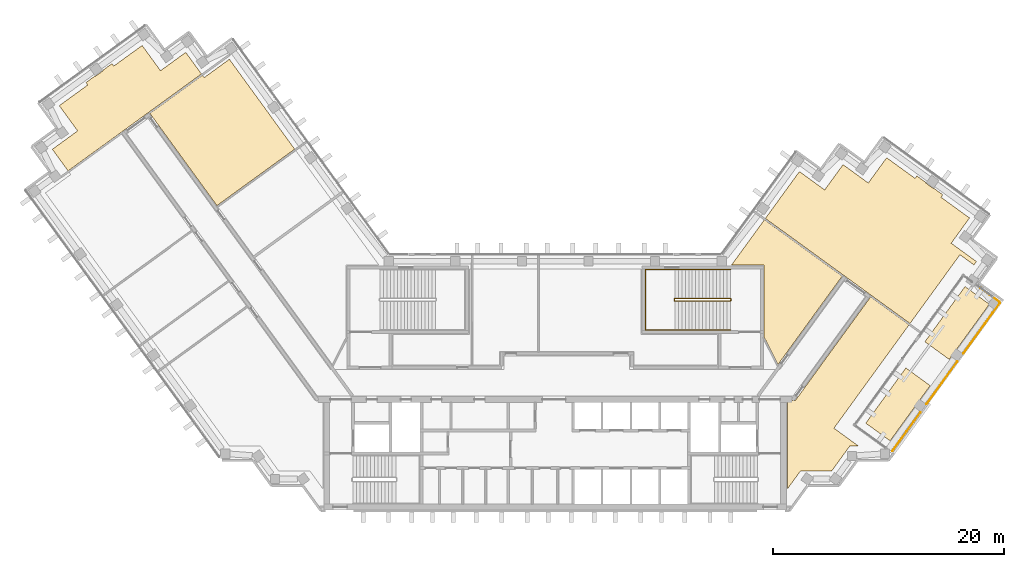
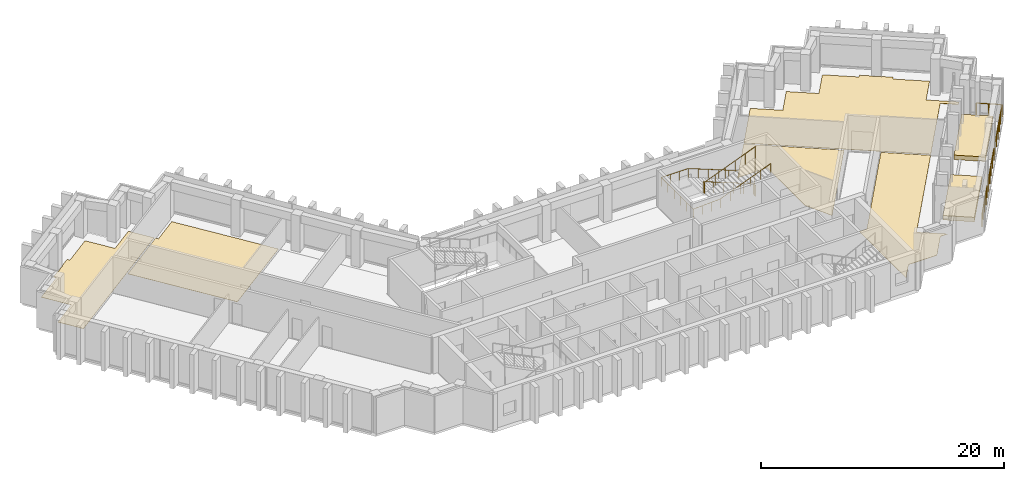
# One storey, part 9 of 10: 7 coverings, 6 railings.
"""IFC4 building model written with IfcOpenShell, lengths in metres."""

from ifc_helpers import new_model, si_unit, direction, frame, origin, origin_2d, place, context, subcontext, project, spatial, polyline, circle, outline, extrude, material, layer, layer_set, type_object, element, save


model = new_model("IFC4")

# Units and contexts
model_context = context("Model", 3, precision=1e-05, world=origin(), true_north=direction((0.0, 1.0)))
body_context = subcontext(model_context, "Body", "Model", "MODEL_VIEW")
ifc_project = project(units=[si_unit("LENGTHUNIT", "METRE"), si_unit("AREAUNIT", "SQUARE_METRE"), si_unit("VOLUMEUNIT", "CUBIC_METRE"), si_unit("PLANEANGLEUNIT", "RADIAN"), si_unit("MASSUNIT", "GRAM", prefix="KILO")], contexts=[model_context])

# Site, building, storey
site_placement = place(None, origin())
site = spatial("IfcSite", under=ifc_project, at=site_placement, CompositionType="ELEMENT")
building_placement = place(site_placement, origin())
building = spatial("IfcBuilding", under=site, at=building_placement, Name="Quipu Civic Tower", CompositionType="ELEMENT")
storey_placement = place(building_placement, frame((0.0, 0.0, 202.0)))
storey = spatial("IfcBuildingStorey", under=building, at=storey_placement, Name="L47", CompositionType="ELEMENT", Elevation=202.0)

# Coverings
ifc_material_1 = material(Name="Carpet tile on raised access floor")
ifc_layer_1 = layer(ifc_material_1, 0.02001953125)
ifc_layer_set_1 = layer_set([ifc_layer_1], Name="Carpet tile on raised access floor")
covering_type_1 = type_object("IfcCoveringType", Name="Carpet tile floor finish 20", PredefinedType="FLOORING", material=ifc_layer_set_1)
covering_1_placement = place(storey_placement, origin())
element("IfcCovering", 1, at=covering_1_placement, inside=storey, type_object=covering_type_1, Name="Carpet tile floor finish 20", PredefinedType="FLOORING", context=body_context, shape_type="SweptSolid", body=[
    extrude(outline(polyline([(15.238037109375, 10.169921875), (18.089111328125, 14.093994140625), (24.81201171875, 9.2109375), (19.27197265625, 1.583984375), (18.070068359375, 3.94189453125), (18.070068359375, 10.1689453125), (15.238037109375, 10.169921875)])), origin(), (0.0, 0.0, 1.0), 0.02001953125),
])
covering_2_placement = place(storey_placement, origin())
element("IfcCovering", 2, at=covering_2_placement, inside=storey, type_object=covering_type_1, Name="Carpet tile floor finish 20", PredefinedType="FLOORING", context=body_context, shape_type="SweptSolid", body=[
    extrude(outline(polyline([(-35.0400390625, 23.2880859375), (-30.5009765625, 26.583984375), (-30.35302734375, 26.383056640625), (-28.169921875, 27.968994140625), (-22.52490234375, 20.197998046875), (-29.248046875, 15.31396484375), (-35.0400390625, 23.2880859375)])), origin(), (0.0, 0.0, 1.0), 0.02001953125),
])
covering_3_placement = place(storey_placement, origin())
element("IfcCovering", 3, at=covering_3_placement, inside=storey, type_object=covering_type_1, Name="Carpet tile floor finish 20", PredefinedType="FLOORING", context=body_context, shape_type="SweptSolid", body=[
    extrude(outline(polyline([(20.070068359375, -9.195068359375), (20.070068359375, -1.52001953125), (20.77490234375, -1.51904296875), (27.27197265625, 7.423095703125), (30.596923828125, 5.008056640625), (24.10302734375, -3.929931640625), (26.20703125, -5.4609375), (25.48193359375, -5.4619140625), (23.89501953125, -7.64599609375), (21.195068359375, -7.64599609375), (20.070068359375, -9.195068359375)])), origin(), (0.0, 0.0, 1.0), 0.02001953125),
])
covering_4_placement = place(storey_placement, origin())
element("IfcCovering", 4, at=covering_4_placement, inside=storey, type_object=covering_type_1, Name="Carpet tile floor finish 20", PredefinedType="FLOORING", context=body_context, shape_type="SweptSolid", body=[
    extrude(outline(polyline([(18.172119140625, 14.20703125), (21.116943359375, 18.260986328125), (23.301025390625, 16.675048828125), (24.887939453125, 18.85791015625), (27.073974609375, 17.27197265625), (28.658935546875, 19.455078125), (31.116943359375, 17.6708984375), (31.27099609375, 17.8798828125), (32.032958984375, 17.325927734375), (32.032958984375, 17.324951171875), (32.031005859375, 17.321044921875), (32.030029296875, 17.31591796875), (32.029052734375, 17.31103515625), (32.028076171875, 17.305908203125), (32.028076171875, 17.302001953125), (32.029052734375, 17.297119140625), (32.030029296875, 17.2919921875), (32.031005859375, 17.287109375), (32.032958984375, 17.282958984375), (32.035888671875, 17.278076171875), (32.0380859375, 17.27392578125), (32.041015625, 17.27099609375), (32.044921875, 17.26708984375), (32.049072265625, 17.263916015625), (32.696044921875, 16.7939453125), (32.699951171875, 16.791015625), (32.7041015625, 16.7890625), (32.708984375, 16.787109375), (32.714111328125, 16.785888671875), (32.718994140625, 16.784912109375), (32.722900390625, 16.783935546875), (32.72802734375, 16.783935546875), (32.73291015625, 16.784912109375), (32.738037109375, 16.785888671875), (32.742919921875, 16.787109375), (32.7470703125, 16.7890625), (32.751953125, 16.7919921875), (32.756103515625, 16.7939453125), (32.759033203125, 16.798095703125), (32.760009765625, 16.798095703125), (33.52197265625, 16.2451171875), (33.3701171875, 16.032958984375), (35.826904296875, 14.248046875), (34.240966796875, 12.06396484375), (36.425048828125, 10.47705078125), (36.212890625, 10.18603515625), (34.998046875, 11.06591796875), (30.679931640625, 5.12109375), (18.172119140625, 14.20703125)])), origin(), (0.0, 0.0, 1.0), 0.02001953125),
])
covering_5_placement = place(storey_placement, origin())
element("IfcCovering", 5, at=covering_5_placement, inside=storey, type_object=covering_type_1, Name="Carpet tile floor finish 20", PredefinedType="FLOORING", context=body_context, shape_type="SweptSolid", body=[
    extrude(outline(polyline([(-43.47802734375, 20.18505859375), (-41.2939453125, 21.77294921875), (-42.881103515625, 23.95703125), (-40.424072265625, 25.740966796875), (-40.574951171875, 25.952880859375), (-39.81298828125, 26.507080078125), (-39.80908203125, 26.5029296875), (-39.804931640625, 26.5009765625), (-39.801025390625, 26.498046875), (-39.7958984375, 26.49609375), (-39.7919921875, 26.4951171875), (-39.787109375, 26.493896484375), (-39.781982421875, 26.492919921875), (-39.777099609375, 26.492919921875), (-39.77197265625, 26.493896484375), (-39.76806640625, 26.4951171875), (-39.762939453125, 26.49609375), (-39.758056640625, 26.498046875), (-39.75390625, 26.5), (-39.75, 26.5029296875), (-39.10302734375, 26.972900390625), (-39.09912109375, 26.97607421875), (-39.094970703125, 26.97998046875), (-39.092041015625, 26.98291015625), (-39.089111328125, 26.987060546875), (-39.0869140625, 26.991943359375), (-39.0849609375, 26.99609375), (-39.083984375, 27.0009765625), (-39.0830078125, 27.006103515625), (-39.08203125, 27.010986328125), (-39.08203125, 27.014892578125), (-39.08203125, 27.02001953125), (-39.0830078125, 27.02490234375), (-39.0849609375, 27.030029296875), (-39.0869140625, 27.033935546875), (-38.324951171875, 27.587890625), (-38.169921875, 27.37890625), (-35.712890625, 29.1640625), (-34.126953125, 26.97998046875), (-31.94189453125, 28.56591796875), (-30.583984375, 26.697021484375), (-42.12109375, 18.31591796875), (-43.47802734375, 20.18505859375)])), origin(), (0.0, 0.0, 1.0), 0.02001953125),
])
ifc_material_2 = material(Name="Planting soil on drainage board")
ifc_layer_2 = layer(ifc_material_2, 0.449951171875)
ifc_layer_set_2 = layer_set([ifc_layer_2], Name="Planting soil on drainage board")
covering_type_2 = type_object("IfcCoveringType", Name="Planted terrace build-up", PredefinedType="FLOORING", material=ifc_layer_set_2)
covering_6_placement = place(storey_placement, origin())
element("IfcCovering", 6, at=covering_6_placement, inside=storey, type_object=covering_type_2, Name="Planted terrace L47 bed 1", PredefinedType="FLOORING", context=body_context, shape_type="SweptSolid", body=[
    extrude(outline(polyline([(30.32177734375, 1.27685546875), (32.42529296875, -0.25146484375), (28.957275390625, -5.024658203125), (26.85400390625, -3.496337890625), (30.32177734375, 1.27685546875)])), origin(), (0.0, 0.0, 1.0), 0.449951171875),
])
covering_7_placement = place(storey_placement, origin())
element("IfcCovering", 7, at=covering_7_placement, inside=storey, type_object=covering_type_2, Name="Planted terrace L47 bed 2", PredefinedType="FLOORING", context=body_context, shape_type="SweptSolid", body=[
    extrude(outline(polyline([(35.435546875, 8.315185546875), (37.5390625, 6.787109375), (34.071044921875, 2.013916015625), (31.967529296875, 3.5419921875), (35.435546875, 8.315185546875)])), origin(), (0.0, 0.0, 1.0), 0.449951171875),
])

# Railings
ifc_material_3 = material(Name="Stainless steel", Category="steel")
railing_type_1 = type_object("IfcRailingType", Name="Stair guard 1100", PredefinedType="GUARDRAIL", material=ifc_material_3)
railing_1_placement = place(storey_placement, frame((15.14990234375, 7.300048828125, 0.11767578125)))
element("IfcRailing", 8, at=railing_1_placement, inside=storey, type_object=railing_type_1, Name="Stair 4 guard", PredefinedType="GUARDRAIL", context=body_context, shape_type="SweptSolid", body=[
    extrude(circle(Radius=0.02392578125, at=origin_2d()), frame((0.0, 0.0, 1.076171875), z_axis=(-0.930970042603, 0.0, 0.365095576219), x_axis=(0.0, -1.0, 0.0)), (0.0, 0.0, 1.0), 5.15576171875),
    extrude(circle(Radius=0.02392578125, at=origin_2d()), frame((-4.7998046875, 0.0, 2.95849609375), z_axis=(-0.707106781187, -0.707106781187, 0.0), x_axis=(0.707106781187, -0.707106781187, 0.0)), (0.0, 0.0, 1.0), 0.07080078125),
    extrude(circle(Radius=0.02392578125, at=origin_2d()), frame((-4.849853515625, -0.050048828125, 2.95849609375), z_axis=(0.0, -1.0, 0.0), x_axis=(1.0, 0.0, 0.0)), (0.0, 0.0, 1.0), 0.14990234375),
    extrude(circle(Radius=0.02392578125, at=origin_2d()), frame((-4.849853515625, -0.199951171875, 2.95849609375), z_axis=(0.364463019033, -0.364463019033, 0.856932561824), x_axis=(0.707106781187, 0.707106781187, 0.0)), (0.0, 0.0, 1.0), 0.13720703125),
    extrude(circle(Radius=0.02392578125, at=origin_2d()), frame((-4.7998046875, -0.25, 3.076171875), z_axis=(0.930970042603, 0.0, 0.365095576219), x_axis=(0.0, 1.0, 0.0)), (0.0, 0.0, 1.0), 5.15576171875),
    extrude(circle(Radius=0.02392578125, at=origin_2d()), frame((0.0, -0.25, 4.95849609375), z_axis=(0.012495627992, 0.049921557685, -0.998674970829), x_axis=(-0.970072785993, 0.242814311512, 0.0)), (0.0, 0.0, 1.0), 4.00537109375),
    extrude(circle(Radius=0.02392578125, at=origin_2d()), frame((0.050048828125, -0.050048828125, 0.95849609375), z_axis=(0.0, -1.0, 0.0), x_axis=(1.0, 0.0, 0.0)), (0.0, 0.0, 1.0), 0.14990234375),
    extrude(circle(Radius=0.02099609375, at=origin_2d()), origin(), (0.0, 0.0, 1.0), 1.052001953125),
    extrude(circle(Radius=0.02099609375, at=origin_2d()), frame((-0.9599609375, 0.0, 0.37646484375)), (0.0, 0.0, 1.0), 1.052001953125),
    extrude(circle(Radius=0.02099609375, at=origin_2d()), frame((-1.919921875, 0.0, 0.7529296875)), (0.0, 0.0, 1.0), 1.052001953125),
    extrude(circle(Radius=0.02099609375, at=origin_2d()), frame((-2.8798828125, 0.0, 1.12939453125)), (0.0, 0.0, 1.0), 1.052001953125),
    extrude(circle(Radius=0.02099609375, at=origin_2d()), frame((-3.83984375, 0.0, 1.505859375)), (0.0, 0.0, 1.0), 1.052001953125),
    extrude(circle(Radius=0.02099609375, at=origin_2d()), frame((-4.7998046875, 0.0, 1.88232421875)), (0.0, 0.0, 1.0), 1.052001953125),
    extrude(circle(Radius=0.02099609375, at=origin_2d()), frame((-4.849853515625, -0.050048828125, 1.88232421875)), (0.0, 0.0, 1.0), 1.052001953125),
    extrude(circle(Radius=0.02099609375, at=origin_2d()), frame((-4.849853515625, -0.199951171875, 1.88232421875)), (0.0, 0.0, 1.0), 1.052001953125),
    extrude(circle(Radius=0.02099609375, at=origin_2d()), frame((-4.7998046875, -0.25, 2.0)), (0.0, 0.0, 1.0), 1.052001953125),
    extrude(circle(Radius=0.02099609375, at=origin_2d()), frame((-3.83984375, -0.25, 2.37646484375)), (0.0, 0.0, 1.0), 1.052001953125),
    extrude(circle(Radius=0.02099609375, at=origin_2d()), frame((-2.8798828125, -0.25, 2.7529296875)), (0.0, 0.0, 1.0), 1.052001953125),
    extrude(circle(Radius=0.02099609375, at=origin_2d()), frame((-1.919921875, -0.25, 3.12939453125)), (0.0, 0.0, 1.0), 1.052001953125),
    extrude(circle(Radius=0.02099609375, at=origin_2d()), frame((-0.9599609375, -0.25, 3.505859375)), (0.0, 0.0, 1.0), 1.052001953125),
    extrude(circle(Radius=0.02099609375, at=origin_2d()), frame((0.0, -0.25, 3.88232421875)), (0.0, 0.0, 1.0), 1.052001953125),
    extrude(circle(Radius=0.02099609375, at=origin_2d()), frame((0.012451171875, -0.199951171875, 2.88232421875)), (0.0, 0.0, 1.0), 1.052001953125),
    extrude(circle(Radius=0.02099609375, at=origin_2d()), frame((0.02490234375, -0.14990234375, 1.88232421875)), (0.0, 0.0, 1.0), 1.052001953125),
    extrude(circle(Radius=0.02099609375, at=origin_2d()), frame((0.03759765625, -0.10009765625, 0.88232421875)), (0.0, 0.0, 1.0), 1.052001953125),
    extrude(circle(Radius=0.02099609375, at=origin_2d()), frame((0.050048828125, -0.050048828125, -0.11767578125)), (0.0, 0.0, 1.0), 1.052001953125),
    extrude(circle(Radius=0.02099609375, at=origin_2d()), frame((0.050048828125, -0.199951171875, -0.11767578125)), (0.0, 0.0, 1.0), 1.052001953125),
])
ifc_material_4 = material(Name="Stainless steel", Category="steel")
railing_type_2 = type_object("IfcRailingType", Name="Stair handrail", PredefinedType="HANDRAIL", material=ifc_material_4)
railing_2_placement = place(storey_placement, frame((15.14990234375, 9.800048828125, 0.11767578125)))
element("IfcRailing", 9, at=railing_2_placement, inside=storey, type_object=railing_type_2, Name="Stair 4 handrail", PredefinedType="HANDRAIL", context=body_context, shape_type="SweptSolid", body=[
    extrude(circle(Radius=0.02392578125, at=origin_2d()), frame((0.0, 0.0, 0.8759765625), z_axis=(-0.930970042603, 0.0, 0.365095576219), x_axis=(0.0, -1.0, 0.0)), (0.0, 0.0, 1.0), 5.15576171875),
    extrude(circle(Radius=0.02392578125, at=origin_2d()), frame((-4.7998046875, 0.0, 2.75830078125), z_axis=(-1.0, 0.0, 0.0), x_axis=(0.0, -1.0, 0.0)), (0.0, 0.0, 1.0), 2.550048828125),
    extrude(circle(Radius=0.02392578125, at=origin_2d()), frame((-7.349853515625, 0.0, 2.75830078125), z_axis=(0.0, -1.0, 0.0), x_axis=(1.0, 0.0, 0.0)), (0.0, 0.0, 1.0), 5.25),
    extrude(circle(Radius=0.02392578125, at=origin_2d()), frame((-7.349853515625, -5.25, 2.75830078125), z_axis=(0.998936948642, 0.0, 0.04609742549), x_axis=(0.0, 1.0, 0.0)), (0.0, 0.0, 1.0), 2.552734375),
    extrude(circle(Radius=0.02392578125, at=origin_2d()), frame((-4.7998046875, -5.25, 2.8759765625), z_axis=(0.930970042603, 0.0, 0.365095576219), x_axis=(0.0, 1.0, 0.0)), (0.0, 0.0, 1.0), 5.15576171875),
    extrude(circle(Radius=0.02099609375, at=origin_2d()), origin(), (0.0, 0.0, 1.0), 0.851806640625),
    extrude(circle(Radius=0.02099609375, at=origin_2d()), frame((-0.9599609375, 0.0, 0.37646484375)), (0.0, 0.0, 1.0), 0.851806640625),
    extrude(circle(Radius=0.02099609375, at=origin_2d()), frame((-1.919921875, 0.0, 0.7529296875)), (0.0, 0.0, 1.0), 0.851806640625),
    extrude(circle(Radius=0.02099609375, at=origin_2d()), frame((-2.8798828125, 0.0, 1.12939453125)), (0.0, 0.0, 1.0), 0.851806640625),
    extrude(circle(Radius=0.02099609375, at=origin_2d()), frame((-3.83984375, 0.0, 1.505859375)), (0.0, 0.0, 1.0), 0.851806640625),
    extrude(circle(Radius=0.02099609375, at=origin_2d()), frame((-4.7998046875, 0.0, 1.88232421875)), (0.0, 0.0, 1.0), 0.851806640625),
    extrude(circle(Radius=0.02099609375, at=origin_2d()), frame((-5.64990234375, 0.0, 1.88232421875)), (0.0, 0.0, 1.0), 0.851806640625),
    extrude(circle(Radius=0.02099609375, at=origin_2d()), frame((-6.499755859375, 0.0, 1.88232421875)), (0.0, 0.0, 1.0), 0.851806640625),
    extrude(circle(Radius=0.02099609375, at=origin_2d()), frame((-7.349853515625, 0.0, 1.88232421875)), (0.0, 0.0, 1.0), 0.851806640625),
    extrude(circle(Radius=0.02099609375, at=origin_2d()), frame((-7.349853515625, -1.050048828125, 1.88232421875)), (0.0, 0.0, 1.0), 0.851806640625),
    extrude(circle(Radius=0.02099609375, at=origin_2d()), frame((-7.349853515625, -2.10009765625, 1.88232421875)), (0.0, 0.0, 1.0), 0.851806640625),
    extrude(circle(Radius=0.02099609375, at=origin_2d()), frame((-7.349853515625, -3.14990234375, 1.88232421875)), (0.0, 0.0, 1.0), 0.851806640625),
    extrude(circle(Radius=0.02099609375, at=origin_2d()), frame((-7.349853515625, -4.199951171875, 1.88232421875)), (0.0, 0.0, 1.0), 0.851806640625),
    extrude(circle(Radius=0.02099609375, at=origin_2d()), frame((-7.349853515625, -5.25, 1.88232421875)), (0.0, 0.0, 1.0), 0.851806640625),
    extrude(circle(Radius=0.02099609375, at=origin_2d()), frame((-6.499755859375, -5.25, 1.921630859375)), (0.0, 0.0, 1.0), 0.851806640625),
    extrude(circle(Radius=0.02099609375, at=origin_2d()), frame((-5.64990234375, -5.25, 1.960693359375)), (0.0, 0.0, 1.0), 0.851806640625),
    extrude(circle(Radius=0.02099609375, at=origin_2d()), frame((-4.7998046875, -5.25, 2.0)), (0.0, 0.0, 1.0), 0.851806640625),
    extrude(circle(Radius=0.02099609375, at=origin_2d()), frame((-3.83984375, -5.25, 2.37646484375)), (0.0, 0.0, 1.0), 0.851806640625),
    extrude(circle(Radius=0.02099609375, at=origin_2d()), frame((-2.8798828125, -5.25, 2.7529296875)), (0.0, 0.0, 1.0), 0.851806640625),
    extrude(circle(Radius=0.02099609375, at=origin_2d()), frame((-1.919921875, -5.25, 3.12939453125)), (0.0, 0.0, 1.0), 0.851806640625),
    extrude(circle(Radius=0.02099609375, at=origin_2d()), frame((-0.9599609375, -5.25, 3.505859375)), (0.0, 0.0, 1.0), 0.851806640625),
    extrude(circle(Radius=0.02099609375, at=origin_2d()), frame((0.0, -5.25, 3.88232421875)), (0.0, 0.0, 1.0), 0.851806640625),
])
ifc_material_5 = material(Name="Steel S275", Category="steel")
railing_type_3 = type_object("IfcRailingType", Name="Terrace guard G1", PredefinedType="GUARDRAIL", material=ifc_material_5)
railing_3_placement = place(storey_placement, frame((29.15478515625, -5.90966796875, 0.0)))
element("IfcRailing", 10, at=railing_3_placement, inside=storey, type_object=railing_type_3, Name="Terrace guard L47.1", PredefinedType="GUARDRAIL", context=body_context, shape_type="SweptSolid", body=[
    extrude(circle(Radius=0.02490234375, at=origin_2d()), frame((0.0, 0.0, 1.1748046875), z_axis=(0.587793418234, 0.809011061408, 0.0), x_axis=(-0.809011061408, 0.587793418234, 0.0)), (0.0, 0.0, 1.0), 4.145263671875),
    extrude(circle(Radius=0.02490234375, at=origin_2d()), origin(), (0.0, 0.0, 1.0), 1.14990234375),
    extrude(circle(Radius=0.02490234375, at=origin_2d()), frame((0.609130859375, 0.83837890625, 0.0)), (0.0, 0.0, 1.0), 1.14990234375),
    extrude(circle(Radius=0.02490234375, at=origin_2d()), frame((1.21826171875, 1.6767578125, 0.0)), (0.0, 0.0, 1.0), 1.14990234375),
    extrude(circle(Radius=0.02490234375, at=origin_2d()), frame((1.827392578125, 2.51513671875, 0.0)), (0.0, 0.0, 1.0), 1.14990234375),
    extrude(circle(Radius=0.02490234375, at=origin_2d()), frame((2.4365234375, 3.353515625, 0.0)), (0.0, 0.0, 1.0), 1.14990234375),
])
railing_4_placement = place(storey_placement, frame((32.120361328125, -1.827880859375, 0.0)))
element("IfcRailing", 11, at=railing_4_placement, inside=storey, type_object=railing_type_3, Name="Terrace guard L47.2", PredefinedType="GUARDRAIL", context=body_context, shape_type="SweptSolid", body=[
    extrude(circle(Radius=0.02490234375, at=origin_2d()), frame((0.0, 0.0, 1.1748046875), z_axis=(0.587803872688, 0.809003465539, 0.0), x_axis=(-0.809003465539, 0.587803872688, 0.0)), (0.0, 0.0, 1.0), 4.499755859375),
    extrude(circle(Radius=0.02490234375, at=origin_2d()), origin(), (0.0, 0.0, 1.0), 1.14990234375),
    extrude(circle(Radius=0.02490234375, at=origin_2d()), frame((0.6611328125, 0.91015625, 0.0)), (0.0, 0.0, 1.0), 1.14990234375),
    extrude(circle(Radius=0.02490234375, at=origin_2d()), frame((1.322509765625, 1.8203125, 0.0)), (0.0, 0.0, 1.0), 1.14990234375),
    extrude(circle(Radius=0.02490234375, at=origin_2d()), frame((1.98388671875, 2.730224609375, 0.0)), (0.0, 0.0, 1.0), 1.14990234375),
    extrude(circle(Radius=0.02490234375, at=origin_2d()), frame((2.64501953125, 3.640380859375, 0.0)), (0.0, 0.0, 1.0), 1.14990234375),
])
railing_5_placement = place(storey_placement, frame((35.29443359375, 2.540771484375, 0.0)))
element("IfcRailing", 12, at=railing_5_placement, inside=storey, type_object=railing_type_3, Name="Terrace guard L47.3", PredefinedType="GUARDRAIL", context=body_context, shape_type="SweptSolid", body=[
    extrude(circle(Radius=0.02490234375, at=origin_2d()), frame((0.0, 0.0, 1.1748046875), z_axis=(0.587762255175, 0.809033702259, 0.0), x_axis=(-0.809033702259, 0.587762255175, 0.0)), (0.0, 0.0, 1.0), 5.3544921875),
    extrude(circle(Radius=0.02490234375, at=origin_2d()), origin(), (0.0, 0.0, 1.0), 1.14990234375),
    extrude(circle(Radius=0.02490234375, at=origin_2d()), frame((0.62939453125, 0.866455078125, 0.0)), (0.0, 0.0, 1.0), 1.14990234375),
    extrude(circle(Radius=0.02490234375, at=origin_2d()), frame((1.2587890625, 1.73291015625, 0.0)), (0.0, 0.0, 1.0), 1.14990234375),
    extrude(circle(Radius=0.02490234375, at=origin_2d()), frame((1.888427734375, 2.59912109375, 0.0)), (0.0, 0.0, 1.0), 1.14990234375),
    extrude(circle(Radius=0.02490234375, at=origin_2d()), frame((2.517822265625, 3.465576171875, 0.0)), (0.0, 0.0, 1.0), 1.14990234375),
    extrude(circle(Radius=0.02490234375, at=origin_2d()), frame((3.147216796875, 4.33203125, 0.0)), (0.0, 0.0, 1.0), 1.14990234375),
])
railing_6_placement = place(storey_placement, frame((38.424072265625, 6.984375, 0.0)))
element("IfcRailing", 13, at=railing_6_placement, inside=storey, type_object=railing_type_3, Name="Terrace guard L47.4", PredefinedType="GUARDRAIL", context=body_context, shape_type="SweptSolid", body=[
    extrude(circle(Radius=0.02490234375, at=origin_2d()), frame((0.0, 0.0, 1.1748046875), z_axis=(-0.808983206573, 0.587831754401, 0.0), x_axis=(-0.587831754401, -0.808983206573, 0.0)), (0.0, 0.0, 1.0), 2.050048828125),
    extrude(circle(Radius=0.02490234375, at=origin_2d()), origin(), (0.0, 0.0, 1.0), 1.14990234375),
    extrude(circle(Radius=0.02490234375, at=origin_2d()), frame((-0.8291015625, 0.6025390625, 0.0)), (0.0, 0.0, 1.0), 1.14990234375),
    extrude(circle(Radius=0.02490234375, at=origin_2d()), frame((-1.658447265625, 1.205078125, 0.0)), (0.0, 0.0, 1.0), 1.14990234375),
])

save(model, "model.ifc")
